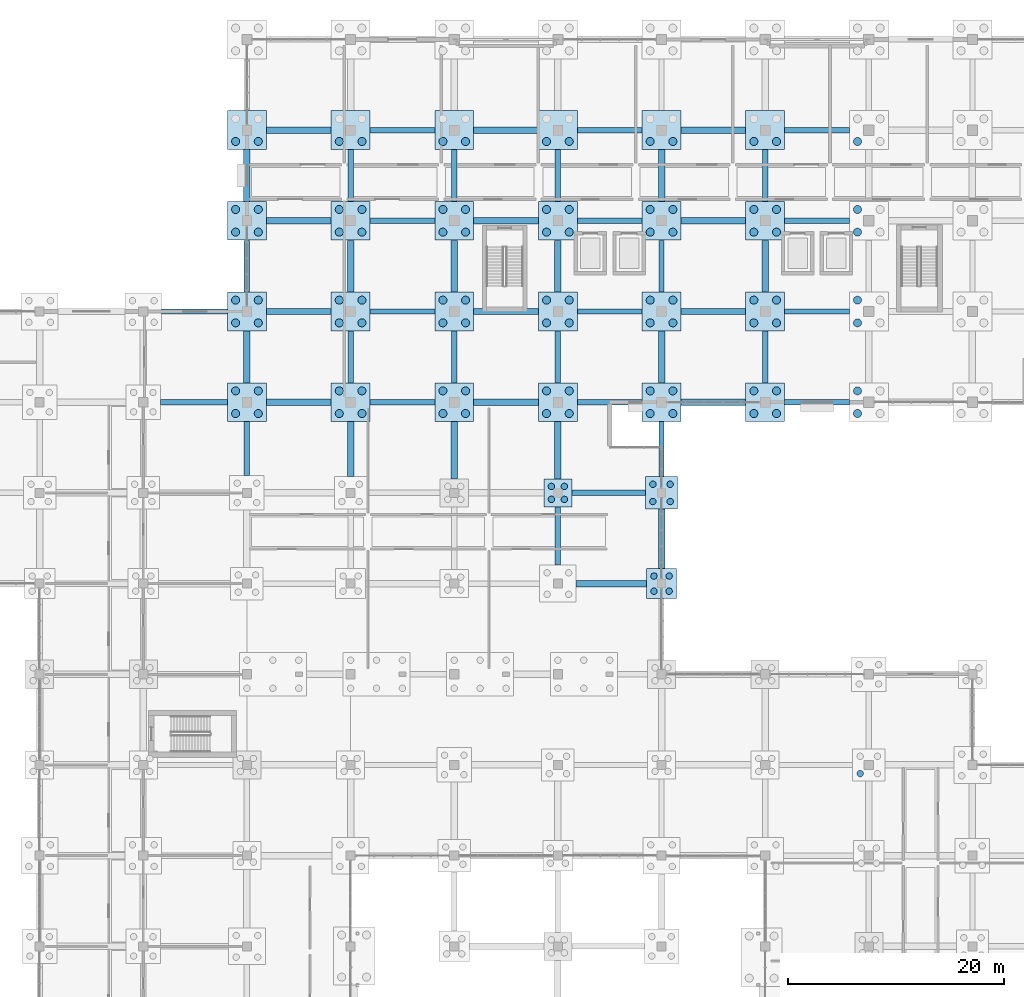
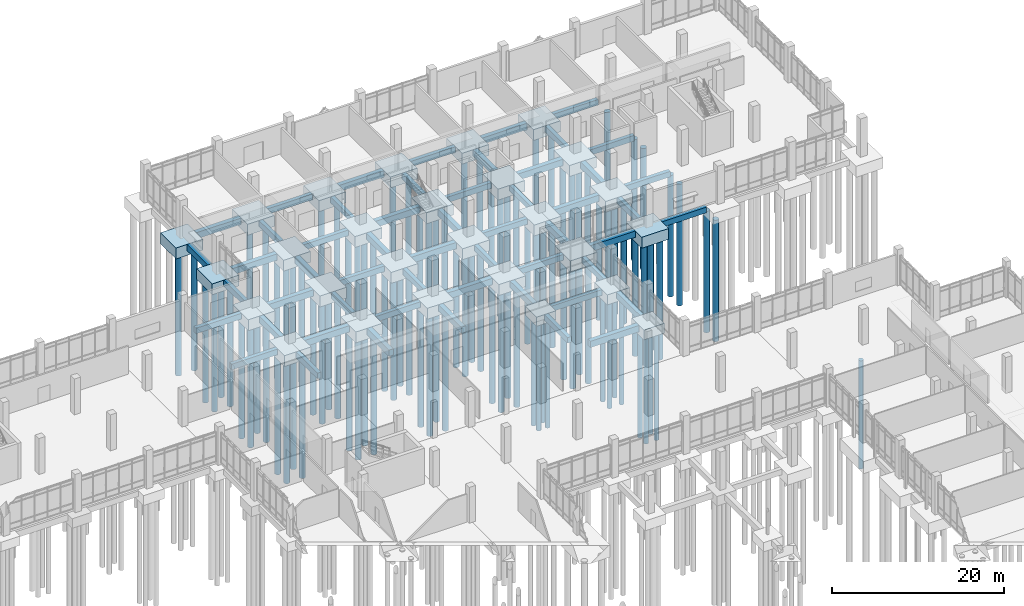
# One storey, part 16 of 136: 104 piles, 80 footings.
"""IFC4 building model written with IfcOpenShell, lengths in metres."""

import ifcopenshell
import ifcopenshell.guid

model = None  # the IFC model being written
_history = None  # IfcOwnerHistory: only IFC2X3 demands one
_inside = {}  # id of a spatial element -> (the spatial element, [elements in it])
_under = {}  # id of a project, library or spatial element -> (it, [spatial elements below it])
_declared = {}  # id of a project -> (the project, [libraries it declares])
_typed = {}  # id of a type object -> (the type object, [elements of that type])
_made_of = {}  # id of a material, layer set ... -> (it, [elements and type objects made of it])


def new_model(schema):
    """Start an empty IFC model of exactly this schema.

    Asked for "IFC4X3", IfcOpenShell would pick the latest addendum, in which some entities
    have other attributes; the version numbers below select the first issue.
    IFC2X3 requires an IfcOwnerHistory on every rooted entity: one is made here for all.
    """
    global model, _history
    if schema == "IFC4X3":
        model = ifcopenshell.file(schema_version=(4, 3, 0, 0))
    else:
        model = ifcopenshell.file(schema=schema)
    _inside.clear()
    _under.clear()
    _declared.clear()
    _typed.clear()
    _made_of.clear()
    _history = None
    if model.schema == "IFC2X3":
        org = make("IfcOrganization", Name="unknown")
        user = make(
            "IfcPersonAndOrganization",
            ThePerson=make("IfcPerson", FamilyName="unknown"),
            TheOrganization=org,
        )
        app = make(
            "IfcApplication",
            ApplicationDeveloper=org,
            Version="unknown",
            ApplicationFullName="unknown",
            ApplicationIdentifier="unknown",
        )
        _history = make(
            "IfcOwnerHistory",
            OwningUser=user,
            OwningApplication=app,
            ChangeAction="ADDED",
            CreationDate=0,
        )
    return model


def make(cls, **values):
    """One entity of the class cls with the attributes given. An attribute that is None is left unset."""
    return model.create_entity(
        cls, **{name: value for name, value in values.items() if value is not None}
    )


def rooted(cls, **values):
    """An entity with a GlobalId (a new one), such as an element, a storey or a relation."""
    return make(cls, GlobalId=ifcopenshell.guid.new(), OwnerHistory=_history, **values)


def si_unit(unit_type, name, prefix=None):
    """IfcSIUnit, for example si_unit("LENGTHUNIT", "METRE", prefix="MILLI")."""
    return make("IfcSIUnit", UnitType=unit_type, Prefix=prefix, Name=name)


def assignment(units):
    """IfcUnitAssignment: the units of a project."""
    return None if units is None else make("IfcUnitAssignment", Units=units)


def point(xyz):
    """IfcCartesianPoint."""
    return None if xyz is None else make("IfcCartesianPoint", Coordinates=xyz)


def direction(xyz):
    """IfcDirection."""
    return None if xyz is None else make("IfcDirection", DirectionRatios=xyz)


def frame(location, z_axis=None, x_axis=None):
    """IfcAxis2Placement3D, a coordinate frame: its origin and axes. An axis left out is left unset."""
    return make(
        "IfcAxis2Placement3D",
        Location=point(location),
        Axis=direction(z_axis),
        RefDirection=direction(x_axis),
    )


def frame_2d(location, x_axis=None):
    """IfcAxis2Placement2D, a coordinate frame in the plane: its origin and x axis."""
    return make(
        "IfcAxis2Placement2D", Location=point(location), RefDirection=direction(x_axis)
    )


def origin():
    """The frame at (0, 0, 0) with its axes left unset."""
    return frame((0.0, 0.0, 0.0))


def origin_2d():
    """The frame at (0, 0) in the plane with its x axis left unset."""
    return frame_2d((0.0, 0.0))


def place(relative_to, where):
    """IfcLocalPlacement: puts the frame where relative to a parent placement (None: the world)."""
    return make(
        "IfcLocalPlacement", PlacementRelTo=relative_to, RelativePlacement=where
    )


def context(
    kind, dimensions, precision=None, world=None, true_north=None, identifier=None
):
    """IfcGeometricRepresentationContext, for example the 3D "Model" context."""
    return make(
        "IfcGeometricRepresentationContext",
        ContextIdentifier=identifier,
        ContextType=kind,
        CoordinateSpaceDimension=dimensions,
        Precision=precision,
        WorldCoordinateSystem=world,
        TrueNorth=true_north,
    )


def subcontext(parent, identifier, kind, view, scale=None):
    """IfcGeometricRepresentationSubContext, for example "Body" below "Model"."""
    return make(
        "IfcGeometricRepresentationSubContext",
        ContextIdentifier=identifier,
        ContextType=kind,
        ParentContext=parent,
        TargetScale=scale,
        TargetView=view,
    )


def project(units=None, contexts=None):
    """IfcProject with its units and contexts."""
    return rooted(
        "IfcProject",
        Name="project",
        RepresentationContexts=contexts,
        UnitsInContext=assignment(units),
    )


def spatial(cls, under=None, at=None, **own):
    """A site, building, storey or space (cls), placed at a placement, below another one or the project."""
    s = rooted(cls, ObjectPlacement=at, **own)
    if under is not None:
        _under.setdefault(under.id(), (under, []))[1].append(s)
    return s


def profile(cls, at=None, kind="AREA", **sizes):
    """A parametric profile (cls). Its sizes go by their IFC names, for example OverallWidth=200.0."""
    return make(cls, ProfileType=kind, Position=at, **sizes)


def rectangle(**sizes):
    """IfcRectangleProfileDef."""
    return profile("IfcRectangleProfileDef", **sizes)


def circle(**sizes):
    """IfcCircleProfileDef."""
    return profile("IfcCircleProfileDef", **sizes)


def extrude(swept, where, along, depth):
    """IfcExtrudedAreaSolid: the profile swept, set in the frame where, extruded along a direction by depth."""
    return make(
        "IfcExtrudedAreaSolid",
        SweptArea=swept,
        Position=where,
        ExtrudedDirection=direction(along),
        Depth=depth,
    )


def shape(context_of_items, identifier, shape_type, items):
    """IfcShapeRepresentation: the items that make up one representation, for example the "Body"."""
    return make(
        "IfcShapeRepresentation",
        ContextOfItems=context_of_items,
        RepresentationIdentifier=identifier,
        RepresentationType=shape_type,
        Items=items,
    )


def material(Name=None, Category=None):
    """IfcMaterial."""
    return make("IfcMaterial", Name=Name, Category=Category)


def material_profile(
    of_material, cross_section, Name=None, Category=None, Priority=None
):
    """IfcMaterialProfile: a cross section and its material."""
    return make(
        "IfcMaterialProfile",
        Name=Name,
        Material=of_material,
        Profile=cross_section,
        Priority=Priority,
        Category=Category,
    )


def profile_set(profiles, Name=None, composite=None):
    """IfcMaterialProfileSet."""
    return make(
        "IfcMaterialProfileSet",
        Name=Name,
        MaterialProfiles=profiles,
        CompositeProfile=composite,
    )


def made_of(thing, what):
    """Note that an element or type object is made of a material, layer set ...; save() writes the relation."""
    if what is not None:
        _made_of.setdefault(what.id(), (what, []))[1].append(thing)
    return thing


def type_object(cls, material=None, **own):
    """A type object (cls), such as IfcWallType, which elements share."""
    return made_of(rooted(cls, **own), material)


def element(
    cls,
    number,
    at=None,
    inside=None,
    cuts=None,
    type_object=None,
    material=None,
    context=None,
    identifier="Body",
    shape_type=None,
    held_by="IfcProductDefinitionShape",
    body=None,
    shapes=None,
    **own,
):
    """One element of the class cls, such as IfcWall. Its Tag is "e" and its number.

    at: its placement. inside: the storey or other place that contains it. cuts: it is an
    opening in that element (IfcRelVoidsElement). A single representation is given by context,
    identifier, shape_type and body (its items); several are given by shapes. held_by: the class
    of the entity that holds the representations. save() writes the other relations.
    """
    e = rooted(cls, Tag="e%d" % number, ObjectPlacement=at, **own)
    if body is not None:
        shapes = [shape(context, identifier, shape_type, body)]
    if shapes is not None:
        e.Representation = make(held_by, Representations=shapes)
    if inside is not None:
        _inside.setdefault(inside.id(), (inside, []))[1].append(e)
    if cuts is not None:
        rooted(
            "IfcRelVoidsElement", RelatingBuildingElement=cuts, RelatedOpeningElement=e
        )
    if type_object is not None:
        _typed.setdefault(type_object.id(), (type_object, []))[1].append(e)
    return made_of(e, material)


def aggregate(whole, parts):
    """IfcRelAggregates: a whole, such as a stair, and the parts it consists of."""
    return rooted("IfcRelAggregates", RelatingObject=whole, RelatedObjects=parts)


def save(model, path):
    """Write the relations noted so far, then the file.

    IfcRelAggregates (storeys below a building ...), IfcRelContainedInSpatialStructure (elements
    in a storey), IfcRelDefinesByType, IfcRelAssociatesMaterial and IfcRelDeclares: one each for
    every whole, place, type object, material and project.
    """
    for whole, parts in _under.values():
        aggregate(whole, parts)
    for where, things in _inside.values():
        rooted(
            "IfcRelContainedInSpatialStructure",
            RelatedElements=things,
            RelatingStructure=where,
        )
    for kind, things in _typed.values():
        rooted("IfcRelDefinesByType", RelatedObjects=things, RelatingType=kind)
    for what, things in _made_of.values():
        rooted("IfcRelAssociatesMaterial", RelatedObjects=things, RelatingMaterial=what)
    for by, libraries in _declared.values():
        rooted("IfcRelDeclares", RelatingContext=by, RelatedDefinitions=libraries)
    model.write(path)


model = new_model("IFC4")

# Units and contexts
model_context = context("Model", 3, precision=1e-05, world=origin(), true_north=direction((0.0, 1.0)))
body_context = subcontext(model_context, "Body", "Model", "MODEL_VIEW")
ifc_project = project(units=[si_unit("LENGTHUNIT", "METRE"), si_unit("AREAUNIT", "SQUARE_METRE"), si_unit("VOLUMEUNIT", "CUBIC_METRE"), si_unit("PLANEANGLEUNIT", "RADIAN"), si_unit("MASSUNIT", "GRAM", prefix="KILO")], contexts=[model_context])

# Site, building, storey
site_placement = place(None, origin())
site = spatial("IfcSite", under=ifc_project, at=site_placement, CompositionType="ELEMENT")
building_placement = place(site_placement, origin())
building = spatial("IfcBuilding", under=site, at=building_placement, Name="Oolite Switchyard Hospital", CompositionType="ELEMENT")
storey_placement = place(building_placement, origin())
storey = spatial("IfcBuildingStorey", under=building, at=storey_placement, Name="L00", CompositionType="ELEMENT", Elevation=0.0)

# Footings
ifc_material = material(Name="Concrete C40/50", Category="concrete")
footing_type_1 = type_object("IfcFootingType", Name="FTG-GB500X800", PredefinedType="FOOTING_BEAM", material=ifc_material)
footing_1_placement = place(storey_placement, frame((167.89990234375, 92.39990234375, -1.14990234375), z_axis=(0.0, 0.0, 1.0), x_axis=(1.0, 0.0, 0.0)))
element("IfcFooting", 1, at=footing_1_placement, inside=storey, type_object=footing_type_1, Name="L00 Grade Beam 174", PredefinedType="FOOTING_BEAM", context=body_context, shape_type="SweptSolid", body=[
    extrude(rectangle(XDim=6.800048828125, YDim=0.5, at=origin_2d()), origin(), (0.0, 0.0, 1.0), 0.800048828125),
])
footing_2_placement = place(storey_placement, frame((129.5, 100.800048828125, -1.14990234375), z_axis=(0.0, 0.0, 1.0), x_axis=(1.0, 0.0, 0.0)))
element("IfcFooting", 2, at=footing_2_placement, inside=storey, type_object=footing_type_1, Name="L00 Grade Beam 188", PredefinedType="FOOTING_BEAM", context=body_context, shape_type="SweptSolid", body=[
    extrude(rectangle(XDim=6.199951171875, YDim=0.5, at=origin_2d()), origin(), (0.0, 0.0, 1.0), 0.800048828125),
])
for number, where, z_axis, x_axis, name in (
    (3, (148.800048828125, 100.800048828125, -1.14990234375), (0.0, 0.0, 1.0), (1.0, 0.0, 0.0), "L00 Grade Beam 190"),
    (4, (168.0, 100.800048828125, -1.14990234375), (0.0, 0.0, 1.0), (1.0, 0.0, 0.0), "L00 Grade Beam 192"),
    (5, (187.199951171875, 100.800048828125, -1.14990234375), (0.0, 0.0, 1.0), (1.0, 0.0, 0.0), "L00 Grade Beam 194"),
):
    element("IfcFooting", number, at=place(storey_placement, frame(where, z_axis=z_axis, x_axis=x_axis)), inside=storey, type_object=footing_type_1, Name=name, PredefinedType="FOOTING_BEAM", context=body_context, shape_type="SweptSolid", body=[
        extrude(rectangle(XDim=6.0, YDim=0.5, at=origin_2d()), origin(), (0.0, 0.0, 1.0), 0.800048828125),
    ])
footing_3_placement = place(storey_placement, frame((129.550048828125, 109.199951171875, -1.14990234375), z_axis=(0.0, 0.0, 1.0), x_axis=(1.0, 0.0, 0.0)))
element("IfcFooting", 6, at=footing_3_placement, inside=storey, type_object=footing_type_1, Name="L00 Grade Beam 210", PredefinedType="FOOTING_BEAM", context=body_context, shape_type="SweptSolid", body=[
    extrude(rectangle(XDim=6.10009765625, YDim=0.5, at=origin_2d()), origin(), (0.0, 0.0, 1.0), 0.800048828125),
])
for number, where, z_axis, x_axis, name in (
    (7, (148.800048828125, 109.199951171875, -1.14990234375), (0.0, 0.0, 1.0), (1.0, 0.0, 0.0), "L00 Grade Beam 212"),
    (8, (168.0, 109.199951171875, -1.14990234375), (0.0, 0.0, 1.0), (1.0, 0.0, 0.0), "L00 Grade Beam 214"),
    (9, (187.199951171875, 109.199951171875, -1.14990234375), (0.0, 0.0, 1.0), (1.0, 0.0, 0.0), "L00 Grade Beam 216"),
    (10, (148.800048828125, 117.60009765625, -1.14990234375), (0.0, 0.0, 1.0), (1.0, 0.0, 0.0), "L00 Grade Beam 228"),
    (11, (168.0, 117.60009765625, -1.14990234375), (0.0, 0.0, 1.0), (1.0, 0.0, 0.0), "L00 Grade Beam 230"),
    (12, (187.199951171875, 117.60009765625, -1.14990234375), (0.0, 0.0, 1.0), (1.0, 0.0, 0.0), "L00 Grade Beam 232"),
    (13, (148.800048828125, 126.0, -1.14990234375), (0.0, 0.0, 1.0), (1.0, 0.0, 0.0), "L00 Grade Beam 244"),
    (14, (168.0, 126.0, -1.14990234375), (0.0, 0.0, 1.0), (1.0, 0.0, 0.0), "L00 Grade Beam 246"),
    (15, (187.199951171875, 126.0, -1.14990234375), (0.0, 0.0, 1.0), (1.0, 0.0, 0.0), "L00 Grade Beam 248"),
):
    element("IfcFooting", number, at=place(storey_placement, frame(where, z_axis=z_axis, x_axis=x_axis)), inside=storey, type_object=footing_type_1, Name=name, PredefinedType="FOOTING_BEAM", context=body_context, shape_type="SweptSolid", body=[
        extrude(rectangle(XDim=6.0, YDim=0.5, at=origin_2d()), origin(), (0.0, 0.0, 1.0), 0.800048828125),
    ])
footing_4_placement = place(storey_placement, frame((134.39990234375, 96.5, -1.14990234375), z_axis=(0.0, 0.0, 1.0), x_axis=(0.0, 1.0, 0.0)))
element("IfcFooting", 16, at=footing_4_placement, inside=storey, type_object=footing_type_1, Name="L00 Grade Beam 429", PredefinedType="FOOTING_BEAM", context=body_context, shape_type="SweptSolid", body=[
    extrude(rectangle(XDim=5.0, YDim=0.5, at=origin_2d()), origin(), (0.0, 0.0, 1.0), 0.800048828125),
])
for number, where, z_axis, x_axis, name in (
    (17, (134.39990234375, 113.39990234375, -1.14990234375), (0.0, 0.0, 1.0), (0.0, 1.0, 0.0), "L00 Grade Beam 431"),
    (18, (144.0, 105.0, -1.14990234375), (0.0, 0.0, 1.0), (0.0, 1.0, 0.0), "L00 Grade Beam 439"),
    (19, (144.0, 121.800048828125, -1.14990234375), (0.0, 0.0, 1.0), (0.0, 1.0, 0.0), "L00 Grade Beam 441"),
    (20, (153.60009765625, 105.0, -1.14990234375), (0.0, 0.0, 1.0), (0.0, 1.0, 0.0), "L00 Grade Beam 451"),
    (21, (153.60009765625, 121.800048828125, -1.14990234375), (0.0, 0.0, 1.0), (0.0, 1.0, 0.0), "L00 Grade Beam 453"),
):
    element("IfcFooting", number, at=place(storey_placement, frame(where, z_axis=z_axis, x_axis=x_axis)), inside=storey, type_object=footing_type_1, Name=name, PredefinedType="FOOTING_BEAM", context=body_context, shape_type="SweptSolid", body=[
        extrude(rectangle(XDim=4.800048828125, YDim=0.5, at=origin_2d()), origin(), (0.0, 0.0, 1.0), 0.800048828125),
    ])
footing_5_placement = place(storey_placement, frame((163.199951171875, 88.39990234375, -1.14990234375), z_axis=(0.0, 0.0, 1.0), x_axis=(0.0, 1.0, 0.0)))
element("IfcFooting", 22, at=footing_5_placement, inside=storey, type_object=footing_type_1, Name="L00 Grade Beam 463", PredefinedType="FOOTING_BEAM", context=body_context, shape_type="SweptSolid", body=[
    extrude(rectangle(XDim=5.39990234375, YDim=0.5, at=origin_2d()), origin(), (0.0, 0.0, 1.0), 0.800048828125),
])
for number, where, z_axis, x_axis, name in (
    (23, (163.199951171875, 105.0, -1.14990234375), (0.0, 0.0, 1.0), (0.0, 1.0, 0.0), "L00 Grade Beam 465"),
    (24, (163.199951171875, 121.800048828125, -1.14990234375), (0.0, 0.0, 1.0), (0.0, 1.0, 0.0), "L00 Grade Beam 467"),
):
    element("IfcFooting", number, at=place(storey_placement, frame(where, z_axis=z_axis, x_axis=x_axis)), inside=storey, type_object=footing_type_1, Name=name, PredefinedType="FOOTING_BEAM", context=body_context, shape_type="SweptSolid", body=[
        extrude(rectangle(XDim=4.800048828125, YDim=0.5, at=origin_2d()), origin(), (0.0, 0.0, 1.0), 0.800048828125),
    ])
footing_6_placement = place(storey_placement, frame((172.800048828125, 96.449951171875, -1.14990234375), z_axis=(0.0, 0.0, 1.0), x_axis=(0.0, 1.0, 0.0)))
element("IfcFooting", 25, at=footing_6_placement, inside=storey, type_object=footing_type_1, Name="L00 Grade Beam 477", PredefinedType="FOOTING_BEAM", context=body_context, shape_type="SweptSolid", body=[
    extrude(rectangle(XDim=5.10009765625, YDim=0.5, at=origin_2d()), origin(), (0.0, 0.0, 1.0), 0.800048828125),
])
for number, where, z_axis, x_axis, name in (
    (26, (172.800048828125, 113.39990234375, -1.14990234375), (0.0, 0.0, 1.0), (0.0, 1.0, 0.0), "L00 Grade Beam 479"),
    (27, (182.39990234375, 105.0, -1.14990234375), (0.0, 0.0, 1.0), (0.0, 1.0, 0.0), "L00 Grade Beam 489"),
    (28, (182.39990234375, 121.800048828125, -1.14990234375), (0.0, 0.0, 1.0), (0.0, 1.0, 0.0), "L00 Grade Beam 491"),
):
    element("IfcFooting", number, at=place(storey_placement, frame(where, z_axis=z_axis, x_axis=x_axis)), inside=storey, type_object=footing_type_1, Name=name, PredefinedType="FOOTING_BEAM", context=body_context, shape_type="SweptSolid", body=[
        extrude(rectangle(XDim=4.800048828125, YDim=0.5, at=origin_2d()), origin(), (0.0, 0.0, 1.0), 0.800048828125),
    ])
footing_type_2 = type_object("IfcFootingType", Name="FTG-GB600X900", PredefinedType="FOOTING_BEAM", material=ifc_material)
footing_7_placement = place(storey_placement, frame((168.14990234375, 84.0, -1.25), z_axis=(0.0, 0.0, 1.0), x_axis=(1.0, 0.0, 0.0)))
element("IfcFooting", 29, at=footing_7_placement, inside=storey, type_object=footing_type_2, Name="L00 Grade Beam 159", PredefinedType="FOOTING_BEAM", context=body_context, shape_type="SweptSolid", body=[
    extrude(rectangle(XDim=6.5, YDim=0.60009765625, at=origin_2d()), origin(), (0.0, 0.0, 1.0), 0.89990234375),
])
for number, where, z_axis, x_axis, name in (
    (30, (139.199951171875, 100.800048828125, -1.25), (0.0, 0.0, 1.0), (1.0, 0.0, 0.0), "L00 Grade Beam 189"),
    (31, (158.39990234375, 100.800048828125, -1.25), (0.0, 0.0, 1.0), (1.0, 0.0, 0.0), "L00 Grade Beam 191"),
    (32, (177.60009765625, 100.800048828125, -1.25), (0.0, 0.0, 1.0), (1.0, 0.0, 0.0), "L00 Grade Beam 193"),
    (33, (139.199951171875, 109.199951171875, -1.25), (0.0, 0.0, 1.0), (1.0, 0.0, 0.0), "L00 Grade Beam 211"),
    (34, (158.39990234375, 109.199951171875, -1.25), (0.0, 0.0, 1.0), (1.0, 0.0, 0.0), "L00 Grade Beam 213"),
    (35, (177.60009765625, 109.199951171875, -1.25), (0.0, 0.0, 1.0), (1.0, 0.0, 0.0), "L00 Grade Beam 215"),
    (36, (139.199951171875, 117.60009765625, -1.25), (0.0, 0.0, 1.0), (1.0, 0.0, 0.0), "L00 Grade Beam 227"),
    (37, (158.39990234375, 117.60009765625, -1.25), (0.0, 0.0, 1.0), (1.0, 0.0, 0.0), "L00 Grade Beam 229"),
    (38, (177.60009765625, 117.60009765625, -1.25), (0.0, 0.0, 1.0), (1.0, 0.0, 0.0), "L00 Grade Beam 231"),
    (39, (139.199951171875, 126.0, -1.25), (0.0, 0.0, 1.0), (1.0, 0.0, 0.0), "L00 Grade Beam 243"),
    (40, (158.39990234375, 126.0, -1.25), (0.0, 0.0, 1.0), (1.0, 0.0, 0.0), "L00 Grade Beam 245"),
    (41, (177.60009765625, 126.0, -1.25), (0.0, 0.0, 1.0), (1.0, 0.0, 0.0), "L00 Grade Beam 247"),
):
    element("IfcFooting", number, at=place(storey_placement, frame(where, z_axis=z_axis, x_axis=x_axis)), inside=storey, type_object=footing_type_2, Name=name, PredefinedType="FOOTING_BEAM", context=body_context, shape_type="SweptSolid", body=[
        extrude(rectangle(XDim=6.0, YDim=0.60009765625, at=origin_2d()), origin(), (0.0, 0.0, 1.0), 0.89990234375),
    ])
for number, where, z_axis, x_axis, name in (
    (42, (134.39990234375, 105.0, -1.25), (0.0, 0.0, 1.0), (0.0, 1.0, 0.0), "L00 Grade Beam 430"),
    (43, (134.39990234375, 121.800048828125, -1.25), (0.0, 0.0, 1.0), (0.0, 1.0, 0.0), "L00 Grade Beam 432"),
):
    element("IfcFooting", number, at=place(storey_placement, frame(where, z_axis=z_axis, x_axis=x_axis)), inside=storey, type_object=footing_type_2, Name=name, PredefinedType="FOOTING_BEAM", context=body_context, shape_type="SweptSolid", body=[
        extrude(rectangle(XDim=4.800048828125, YDim=0.60009765625, at=origin_2d()), origin(), (0.0, 0.0, 1.0), 0.89990234375),
    ])
footing_8_placement = place(storey_placement, frame((144.0, 96.449951171875, -1.25), z_axis=(0.0, 0.0, 1.0), x_axis=(0.0, 1.0, 0.0)))
element("IfcFooting", 44, at=footing_8_placement, inside=storey, type_object=footing_type_2, Name="L00 Grade Beam 438", PredefinedType="FOOTING_BEAM", context=body_context, shape_type="SweptSolid", body=[
    extrude(rectangle(XDim=5.10009765625, YDim=0.60009765625, at=origin_2d()), origin(), (0.0, 0.0, 1.0), 0.89990234375),
])
footing_9_placement = place(storey_placement, frame((144.0, 113.39990234375, -1.25), z_axis=(0.0, 0.0, 1.0), x_axis=(0.0, 1.0, 0.0)))
element("IfcFooting", 45, at=footing_9_placement, inside=storey, type_object=footing_type_2, Name="L00 Grade Beam 440", PredefinedType="FOOTING_BEAM", context=body_context, shape_type="SweptSolid", body=[
    extrude(rectangle(XDim=4.800048828125, YDim=0.60009765625, at=origin_2d()), origin(), (0.0, 0.0, 1.0), 0.89990234375),
])
footing_10_placement = place(storey_placement, frame((153.60009765625, 96.35009765625, -1.25), z_axis=(0.0, 0.0, 1.0), x_axis=(0.0, 1.0, 0.0)))
element("IfcFooting", 46, at=footing_10_placement, inside=storey, type_object=footing_type_2, Name="L00 Grade Beam 450", PredefinedType="FOOTING_BEAM", context=body_context, shape_type="SweptSolid", body=[
    extrude(rectangle(XDim=5.300048828125, YDim=0.60009765625, at=origin_2d()), origin(), (0.0, 0.0, 1.0), 0.89990234375),
])
footing_11_placement = place(storey_placement, frame((153.60009765625, 113.39990234375, -1.25), z_axis=(0.0, 0.0, 1.0), x_axis=(0.0, 1.0, 0.0)))
element("IfcFooting", 47, at=footing_11_placement, inside=storey, type_object=footing_type_2, Name="L00 Grade Beam 452", PredefinedType="FOOTING_BEAM", context=body_context, shape_type="SweptSolid", body=[
    extrude(rectangle(XDim=4.800048828125, YDim=0.60009765625, at=origin_2d()), origin(), (0.0, 0.0, 1.0), 0.89990234375),
])
footing_12_placement = place(storey_placement, frame((163.199951171875, 96.35009765625, -1.25), z_axis=(0.0, 0.0, 1.0), x_axis=(0.0, 1.0, 0.0)))
element("IfcFooting", 48, at=footing_12_placement, inside=storey, type_object=footing_type_2, Name="L00 Grade Beam 464", PredefinedType="FOOTING_BEAM", context=body_context, shape_type="SweptSolid", body=[
    extrude(rectangle(XDim=5.300048828125, YDim=0.60009765625, at=origin_2d()), origin(), (0.0, 0.0, 1.0), 0.89990234375),
])
footing_13_placement = place(storey_placement, frame((163.199951171875, 113.39990234375, -1.25), z_axis=(0.0, 0.0, 1.0), x_axis=(0.0, 1.0, 0.0)))
element("IfcFooting", 49, at=footing_13_placement, inside=storey, type_object=footing_type_2, Name="L00 Grade Beam 466", PredefinedType="FOOTING_BEAM", context=body_context, shape_type="SweptSolid", body=[
    extrude(rectangle(XDim=4.800048828125, YDim=0.60009765625, at=origin_2d()), origin(), (0.0, 0.0, 1.0), 0.89990234375),
])
footing_14_placement = place(storey_placement, frame((172.800048828125, 88.14990234375, -1.25), z_axis=(0.0, 0.0, 1.0), x_axis=(0.0, 1.0, 0.0)))
element("IfcFooting", 50, at=footing_14_placement, inside=storey, type_object=footing_type_2, Name="L00 Grade Beam 476", PredefinedType="FOOTING_BEAM", context=body_context, shape_type="SweptSolid", body=[
    extrude(rectangle(XDim=5.5, YDim=0.60009765625, at=origin_2d()), origin(), (0.0, 0.0, 1.0), 0.89990234375),
])
for number, where, z_axis, x_axis, name in (
    (51, (172.800048828125, 105.0, -1.25), (0.0, 0.0, 1.0), (0.0, 1.0, 0.0), "L00 Grade Beam 478"),
    (52, (172.800048828125, 121.800048828125, -1.25), (0.0, 0.0, 1.0), (0.0, 1.0, 0.0), "L00 Grade Beam 480"),
    (53, (182.39990234375, 113.39990234375, -1.25), (0.0, 0.0, 1.0), (0.0, 1.0, 0.0), "L00 Grade Beam 490"),
):
    element("IfcFooting", number, at=place(storey_placement, frame(where, z_axis=z_axis, x_axis=x_axis)), inside=storey, type_object=footing_type_2, Name=name, PredefinedType="FOOTING_BEAM", context=body_context, shape_type="SweptSolid", body=[
        extrude(rectangle(XDim=4.800048828125, YDim=0.60009765625, at=origin_2d()), origin(), (0.0, 0.0, 1.0), 0.89990234375),
    ])
footing_type_3 = type_object("IfcFootingType", Name="FTG-PC24", PredefinedType="PILE_CAP", material=ifc_material)
footing_15_placement = place(storey_placement, frame((163.199951171875, 92.39990234375, -1.64990234375), z_axis=(0.0, 0.0, 1.0), x_axis=(1.0, 0.0, 0.0)))
element("IfcFooting", 54, at=footing_15_placement, inside=storey, type_object=footing_type_3, Name="L00 Multi-Pile Cap 246", PredefinedType="PILE_CAP", context=body_context, shape_type="SweptSolid", body=[
    extrude(rectangle(XDim=2.60009765625, YDim=2.60009765625, at=origin_2d()), origin(), (0.0, 0.0, 1.0), 1.300048828125),
])
footing_type_4 = type_object("IfcFootingType", Name="FTG-PC28", PredefinedType="PILE_CAP", material=ifc_material)
footing_16_placement = place(storey_placement, frame((172.800048828125, 84.0, -1.75), z_axis=(0.0, 0.0, 1.0), x_axis=(1.0, 0.0, 0.0)))
element("IfcFooting", 55, at=footing_16_placement, inside=storey, type_object=footing_type_4, Name="L00 Multi-Pile Cap 260", PredefinedType="PILE_CAP", context=body_context, shape_type="SweptSolid", body=[
    extrude(rectangle(XDim=2.800048828125, YDim=2.800048828125, at=origin_2d()), origin(), (0.0, 0.0, 1.0), 1.39990234375),
])
footing_type_5 = type_object("IfcFootingType", Name="FTG-PC30", PredefinedType="PILE_CAP", material=ifc_material)
footing_17_placement = place(storey_placement, frame((172.800048828125, 92.39990234375, -1.77001953125), z_axis=(0.0, 0.0, 1.0), x_axis=(1.0, 0.0, 0.0)))
element("IfcFooting", 56, at=footing_17_placement, inside=storey, type_object=footing_type_5, Name="L00 Multi-Pile Cap 261", PredefinedType="PILE_CAP", context=body_context, shape_type="SweptSolid", body=[
    extrude(rectangle(XDim=3.0, YDim=3.0, at=origin_2d()), origin(), (0.0, 0.0, 1.0), 1.419921875),
])
footing_type_6 = type_object("IfcFootingType", Name="FTG-PC36", PredefinedType="PILE_CAP", material=ifc_material)
for number, where, z_axis, x_axis, name in (
    (57, (134.39990234375, 100.800048828125, -1.89990234375), (0.0, 0.0, 1.0), (1.0, 0.0, 0.0), "L00 Multi-Pile Cap 198"),
    (58, (134.39990234375, 109.199951171875, -1.89990234375), (0.0, 0.0, 1.0), (1.0, 0.0, 0.0), "L00 Multi-Pile Cap 199"),
    (59, (134.39990234375, 117.60009765625, -1.89990234375), (0.0, 0.0, 1.0), (1.0, 0.0, 0.0), "L00 Multi-Pile Cap 200"),
    (60, (134.39990234375, 126.0, -1.89990234375), (0.0, 0.0, 1.0), (1.0, 0.0, 0.0), "L00 Multi-Pile Cap 201"),
    (61, (144.0, 100.800048828125, -1.89990234375), (0.0, 0.0, 1.0), (1.0, 0.0, 0.0), "L00 Multi-Pile Cap 215"),
    (62, (144.0, 109.199951171875, -1.89990234375), (0.0, 0.0, 1.0), (1.0, 0.0, 0.0), "L00 Multi-Pile Cap 216"),
    (63, (144.0, 117.60009765625, -1.89990234375), (0.0, 0.0, 1.0), (1.0, 0.0, 0.0), "L00 Multi-Pile Cap 217"),
    (64, (144.0, 126.0, -1.89990234375), (0.0, 0.0, 1.0), (1.0, 0.0, 0.0), "L00 Multi-Pile Cap 218"),
    (65, (153.60009765625, 100.800048828125, -1.89990234375), (0.0, 0.0, 1.0), (1.0, 0.0, 0.0), "L00 Multi-Pile Cap 230"),
    (66, (153.60009765625, 109.199951171875, -1.89990234375), (0.0, 0.0, 1.0), (1.0, 0.0, 0.0), "L00 Multi-Pile Cap 231"),
    (67, (153.60009765625, 117.60009765625, -1.89990234375), (0.0, 0.0, 1.0), (1.0, 0.0, 0.0), "L00 Multi-Pile Cap 232"),
    (68, (153.60009765625, 126.0, -1.89990234375), (0.0, 0.0, 1.0), (1.0, 0.0, 0.0), "L00 Multi-Pile Cap 233"),
    (69, (163.199951171875, 100.800048828125, -1.89990234375), (0.0, 0.0, 1.0), (1.0, 0.0, 0.0), "L00 Multi-Pile Cap 247"),
    (70, (163.199951171875, 109.199951171875, -1.89990234375), (0.0, 0.0, 1.0), (1.0, 0.0, 0.0), "L00 Multi-Pile Cap 248"),
    (71, (163.199951171875, 117.60009765625, -1.89990234375), (0.0, 0.0, 1.0), (1.0, 0.0, 0.0), "L00 Multi-Pile Cap 249"),
    (72, (163.199951171875, 126.0, -1.89990234375), (0.0, 0.0, 1.0), (1.0, 0.0, 0.0), "L00 Multi-Pile Cap 250"),
    (73, (172.800048828125, 100.800048828125, -1.89990234375), (0.0, 0.0, 1.0), (1.0, 0.0, 0.0), "L00 Multi-Pile Cap 262"),
    (74, (172.800048828125, 109.199951171875, -1.89990234375), (0.0, 0.0, 1.0), (1.0, 0.0, 0.0), "L00 Multi-Pile Cap 263"),
    (75, (172.800048828125, 117.60009765625, -1.89990234375), (0.0, 0.0, 1.0), (1.0, 0.0, 0.0), "L00 Multi-Pile Cap 264"),
    (76, (172.800048828125, 126.0, -1.89990234375), (0.0, 0.0, 1.0), (1.0, 0.0, 0.0), "L00 Multi-Pile Cap 265"),
    (77, (182.39990234375, 100.800048828125, -1.89990234375), (0.0, 0.0, 1.0), (1.0, 0.0, 0.0), "L00 Multi-Pile Cap 277"),
    (78, (182.39990234375, 109.199951171875, -1.89990234375), (0.0, 0.0, 1.0), (1.0, 0.0, 0.0), "L00 Multi-Pile Cap 278"),
    (79, (182.39990234375, 117.60009765625, -1.89990234375), (0.0, 0.0, 1.0), (1.0, 0.0, 0.0), "L00 Multi-Pile Cap 279"),
    (80, (182.39990234375, 126.0, -1.89990234375), (0.0, 0.0, 1.0), (1.0, 0.0, 0.0), "L00 Multi-Pile Cap 280"),
):
    element("IfcFooting", number, at=place(storey_placement, frame(where, z_axis=z_axis, x_axis=x_axis)), inside=storey, type_object=footing_type_6, Name=name, PredefinedType="PILE_CAP", context=body_context, shape_type="SweptSolid", body=[
        extrude(rectangle(XDim=3.60009765625, YDim=3.60009765625, at=origin_2d()), origin(), (0.0, 0.0, 1.0), 1.550048828125),
    ])

# Piles
ifc_material_profile_1 = material_profile(ifc_material, circle(Radius=0.300048828125, at=origin_2d()), Name="PILE600")
ifc_profile_set_1 = profile_set([ifc_material_profile_1], Name="Concrete C40/50")
pile_type_1 = type_object("IfcPileType", Name="PILE-ACIP600", PredefinedType="BORED", material=ifc_profile_set_1)
for number, where, z_axis, x_axis, name in (
    (81, (162.60009765625, 91.800048828125, -1.5), (0.0, 0.0, -1.0), (1.0, 0.0, 0.0), "Augercast Pile 993"),
    (82, (163.800048828125, 91.800048828125, -1.5), (0.0, 0.0, -1.0), (1.0, 0.0, 0.0), "Augercast Pile 994"),
    (83, (162.60009765625, 93.0, -1.5), (0.0, 0.0, -1.0), (1.0, 0.0, 0.0), "Augercast Pile 995"),
    (84, (163.800048828125, 93.0, -1.5), (0.0, 0.0, -1.0), (1.0, 0.0, 0.0), "Augercast Pile 996"),
):
    element("IfcPile", number, at=place(storey_placement, frame(where, z_axis=z_axis, x_axis=x_axis)), inside=storey, type_object=pile_type_1, Name=name, PredefinedType="BORED", context=body_context, shape_type="SweptSolid", body=[
        extrude(circle(Radius=0.300048828125, at=origin_2d()), origin(), (0.0, 0.0, 1.0), 15.5),
    ])
for number, where, z_axis, x_axis, name in (
    (85, (172.10009765625, 83.300048828125, -1.60009765625), (0.0, 0.0, -1.0), (1.0, 0.0, 0.0), "Augercast Pile 1051"),
    (86, (173.5, 83.300048828125, -1.60009765625), (0.0, 0.0, -1.0), (1.0, 0.0, 0.0), "Augercast Pile 1052"),
    (87, (172.10009765625, 84.699951171875, -1.60009765625), (0.0, 0.0, -1.0), (1.0, 0.0, 0.0), "Augercast Pile 1053"),
    (88, (173.5, 84.699951171875, -1.60009765625), (0.0, 0.0, -1.0), (1.0, 0.0, 0.0), "Augercast Pile 1054"),
):
    element("IfcPile", number, at=place(storey_placement, frame(where, z_axis=z_axis, x_axis=x_axis)), inside=storey, type_object=pile_type_1, Name=name, PredefinedType="BORED", context=body_context, shape_type="SweptSolid", body=[
        extrude(circle(Radius=0.300048828125, at=origin_2d()), origin(), (0.0, 0.0, 1.0), 15.39990234375),
    ])
for number, where, z_axis, x_axis, name in (
    (89, (172.0, 91.60009765625, -1.6201171875), (0.0, 0.0, -1.0), (1.0, 0.0, 0.0), "Augercast Pile 1055"),
    (90, (173.60009765625, 91.60009765625, -1.6201171875), (0.0, 0.0, -1.0), (1.0, 0.0, 0.0), "Augercast Pile 1056"),
    (91, (172.0, 93.199951171875, -1.6201171875), (0.0, 0.0, -1.0), (1.0, 0.0, 0.0), "Augercast Pile 1057"),
    (92, (173.60009765625, 93.199951171875, -1.6201171875), (0.0, 0.0, -1.0), (1.0, 0.0, 0.0), "Augercast Pile 1058"),
    (93, (191.199951171875, 66.39990234375, -1.6201171875), (0.0, 0.0, -1.0), (1.0, 0.0, 0.0), "Augercast Pile 1173"),
):
    element("IfcPile", number, at=place(storey_placement, frame(where, z_axis=z_axis, x_axis=x_axis)), inside=storey, type_object=pile_type_1, Name=name, PredefinedType="BORED", context=body_context, shape_type="SweptSolid", body=[
        extrude(circle(Radius=0.300048828125, at=origin_2d()), origin(), (0.0, 0.0, 1.0), 15.3798828125),
    ])
ifc_material_profile_2 = material_profile(ifc_material, circle(Radius=0.375, at=origin_2d()), Name="PILE750")
ifc_profile_set_2 = profile_set([ifc_material_profile_2], Name="Concrete C40/50")
pile_type_2 = type_object("IfcPileType", Name="PILE-ACIP750", PredefinedType="BORED", material=ifc_profile_set_2)
for number, where, z_axis, x_axis, name in (
    (94, (133.35009765625, 99.75, -1.75), (0.0, 0.0, -1.0), (1.0, 0.0, 0.0), "Augercast Pile 791"),
    (95, (135.449951171875, 99.75, -1.75), (0.0, 0.0, -1.0), (1.0, 0.0, 0.0), "Augercast Pile 792"),
    (96, (133.35009765625, 101.85009765625, -1.75), (0.0, 0.0, -1.0), (1.0, 0.0, 0.0), "Augercast Pile 793"),
    (97, (135.449951171875, 101.85009765625, -1.75), (0.0, 0.0, -1.0), (1.0, 0.0, 0.0), "Augercast Pile 794"),
    (98, (133.35009765625, 108.14990234375, -1.75), (0.0, 0.0, -1.0), (1.0, 0.0, 0.0), "Augercast Pile 795"),
    (99, (135.449951171875, 108.14990234375, -1.75), (0.0, 0.0, -1.0), (1.0, 0.0, 0.0), "Augercast Pile 796"),
    (100, (133.35009765625, 110.25, -1.75), (0.0, 0.0, -1.0), (1.0, 0.0, 0.0), "Augercast Pile 797"),
    (101, (135.449951171875, 110.25, -1.75), (0.0, 0.0, -1.0), (1.0, 0.0, 0.0), "Augercast Pile 798"),
    (102, (133.35009765625, 116.550048828125, -1.75), (0.0, 0.0, -1.0), (1.0, 0.0, 0.0), "Augercast Pile 799"),
    (103, (135.449951171875, 116.550048828125, -1.75), (0.0, 0.0, -1.0), (1.0, 0.0, 0.0), "Augercast Pile 800"),
    (104, (133.35009765625, 118.64990234375, -1.75), (0.0, 0.0, -1.0), (1.0, 0.0, 0.0), "Augercast Pile 801"),
    (105, (135.449951171875, 118.64990234375, -1.75), (0.0, 0.0, -1.0), (1.0, 0.0, 0.0), "Augercast Pile 802"),
    (106, (133.35009765625, 124.949951171875, -1.75), (0.0, 0.0, -1.0), (1.0, 0.0, 0.0), "Augercast Pile 803"),
    (107, (135.449951171875, 124.949951171875, -1.75), (0.0, 0.0, -1.0), (1.0, 0.0, 0.0), "Augercast Pile 804"),
    (108, (142.949951171875, 99.75, -1.75), (0.0, 0.0, -1.0), (1.0, 0.0, 0.0), "Augercast Pile 863"),
    (109, (145.050048828125, 99.75, -1.75), (0.0, 0.0, -1.0), (1.0, 0.0, 0.0), "Augercast Pile 864"),
    (110, (142.949951171875, 101.85009765625, -1.75), (0.0, 0.0, -1.0), (1.0, 0.0, 0.0), "Augercast Pile 865"),
    (111, (145.050048828125, 101.85009765625, -1.75), (0.0, 0.0, -1.0), (1.0, 0.0, 0.0), "Augercast Pile 866"),
    (112, (142.949951171875, 108.14990234375, -1.75), (0.0, 0.0, -1.0), (1.0, 0.0, 0.0), "Augercast Pile 867"),
    (113, (145.050048828125, 108.14990234375, -1.75), (0.0, 0.0, -1.0), (1.0, 0.0, 0.0), "Augercast Pile 868"),
    (114, (142.949951171875, 110.25, -1.75), (0.0, 0.0, -1.0), (1.0, 0.0, 0.0), "Augercast Pile 869"),
    (115, (145.050048828125, 110.25, -1.75), (0.0, 0.0, -1.0), (1.0, 0.0, 0.0), "Augercast Pile 870"),
    (116, (142.949951171875, 116.550048828125, -1.75), (0.0, 0.0, -1.0), (1.0, 0.0, 0.0), "Augercast Pile 871"),
    (117, (145.050048828125, 116.550048828125, -1.75), (0.0, 0.0, -1.0), (1.0, 0.0, 0.0), "Augercast Pile 872"),
    (118, (142.949951171875, 118.64990234375, -1.75), (0.0, 0.0, -1.0), (1.0, 0.0, 0.0), "Augercast Pile 873"),
    (119, (145.050048828125, 118.64990234375, -1.75), (0.0, 0.0, -1.0), (1.0, 0.0, 0.0), "Augercast Pile 874"),
    (120, (142.949951171875, 124.949951171875, -1.75), (0.0, 0.0, -1.0), (1.0, 0.0, 0.0), "Augercast Pile 875"),
    (121, (145.050048828125, 124.949951171875, -1.75), (0.0, 0.0, -1.0), (1.0, 0.0, 0.0), "Augercast Pile 876"),
    (122, (152.550048828125, 99.75, -1.75), (0.0, 0.0, -1.0), (1.0, 0.0, 0.0), "Augercast Pile 925"),
    (123, (154.64990234375, 99.75, -1.75), (0.0, 0.0, -1.0), (1.0, 0.0, 0.0), "Augercast Pile 926"),
    (124, (152.550048828125, 101.85009765625, -1.75), (0.0, 0.0, -1.0), (1.0, 0.0, 0.0), "Augercast Pile 927"),
    (125, (154.64990234375, 101.85009765625, -1.75), (0.0, 0.0, -1.0), (1.0, 0.0, 0.0), "Augercast Pile 928"),
    (126, (152.550048828125, 108.14990234375, -1.75), (0.0, 0.0, -1.0), (1.0, 0.0, 0.0), "Augercast Pile 929"),
    (127, (154.64990234375, 108.14990234375, -1.75), (0.0, 0.0, -1.0), (1.0, 0.0, 0.0), "Augercast Pile 930"),
    (128, (152.550048828125, 110.25, -1.75), (0.0, 0.0, -1.0), (1.0, 0.0, 0.0), "Augercast Pile 931"),
    (129, (154.64990234375, 110.25, -1.75), (0.0, 0.0, -1.0), (1.0, 0.0, 0.0), "Augercast Pile 932"),
    (130, (152.550048828125, 116.550048828125, -1.75), (0.0, 0.0, -1.0), (1.0, 0.0, 0.0), "Augercast Pile 933"),
    (131, (154.64990234375, 116.550048828125, -1.75), (0.0, 0.0, -1.0), (1.0, 0.0, 0.0), "Augercast Pile 934"),
    (132, (152.550048828125, 118.64990234375, -1.75), (0.0, 0.0, -1.0), (1.0, 0.0, 0.0), "Augercast Pile 935"),
    (133, (154.64990234375, 118.64990234375, -1.75), (0.0, 0.0, -1.0), (1.0, 0.0, 0.0), "Augercast Pile 936"),
    (134, (152.550048828125, 124.949951171875, -1.75), (0.0, 0.0, -1.0), (1.0, 0.0, 0.0), "Augercast Pile 937"),
    (135, (154.64990234375, 124.949951171875, -1.75), (0.0, 0.0, -1.0), (1.0, 0.0, 0.0), "Augercast Pile 938"),
    (136, (162.14990234375, 99.75, -1.75), (0.0, 0.0, -1.0), (1.0, 0.0, 0.0), "Augercast Pile 997"),
    (137, (164.25, 99.75, -1.75), (0.0, 0.0, -1.0), (1.0, 0.0, 0.0), "Augercast Pile 998"),
    (138, (162.14990234375, 101.85009765625, -1.75), (0.0, 0.0, -1.0), (1.0, 0.0, 0.0), "Augercast Pile 999"),
    (139, (164.25, 101.85009765625, -1.75), (0.0, 0.0, -1.0), (1.0, 0.0, 0.0), "Augercast Pile 1000"),
    (140, (162.14990234375, 108.14990234375, -1.75), (0.0, 0.0, -1.0), (1.0, 0.0, 0.0), "Augercast Pile 1001"),
    (141, (164.25, 108.14990234375, -1.75), (0.0, 0.0, -1.0), (1.0, 0.0, 0.0), "Augercast Pile 1002"),
    (142, (162.14990234375, 110.25, -1.75), (0.0, 0.0, -1.0), (1.0, 0.0, 0.0), "Augercast Pile 1003"),
    (143, (164.25, 110.25, -1.75), (0.0, 0.0, -1.0), (1.0, 0.0, 0.0), "Augercast Pile 1004"),
    (144, (162.14990234375, 116.550048828125, -1.75), (0.0, 0.0, -1.0), (1.0, 0.0, 0.0), "Augercast Pile 1005"),
    (145, (164.25, 116.550048828125, -1.75), (0.0, 0.0, -1.0), (1.0, 0.0, 0.0), "Augercast Pile 1006"),
    (146, (162.14990234375, 118.64990234375, -1.75), (0.0, 0.0, -1.0), (1.0, 0.0, 0.0), "Augercast Pile 1007"),
    (147, (164.25, 118.64990234375, -1.75), (0.0, 0.0, -1.0), (1.0, 0.0, 0.0), "Augercast Pile 1008"),
    (148, (162.14990234375, 124.949951171875, -1.75), (0.0, 0.0, -1.0), (1.0, 0.0, 0.0), "Augercast Pile 1009"),
    (149, (164.25, 124.949951171875, -1.75), (0.0, 0.0, -1.0), (1.0, 0.0, 0.0), "Augercast Pile 1010"),
    (150, (171.75, 99.75, -1.75), (0.0, 0.0, -1.0), (1.0, 0.0, 0.0), "Augercast Pile 1059"),
    (151, (173.85009765625, 99.75, -1.75), (0.0, 0.0, -1.0), (1.0, 0.0, 0.0), "Augercast Pile 1060"),
    (152, (171.75, 101.85009765625, -1.75), (0.0, 0.0, -1.0), (1.0, 0.0, 0.0), "Augercast Pile 1061"),
    (153, (173.85009765625, 101.85009765625, -1.75), (0.0, 0.0, -1.0), (1.0, 0.0, 0.0), "Augercast Pile 1062"),
    (154, (171.75, 108.14990234375, -1.75), (0.0, 0.0, -1.0), (1.0, 0.0, 0.0), "Augercast Pile 1063"),
    (155, (173.85009765625, 108.14990234375, -1.75), (0.0, 0.0, -1.0), (1.0, 0.0, 0.0), "Augercast Pile 1064"),
    (156, (171.75, 110.25, -1.75), (0.0, 0.0, -1.0), (1.0, 0.0, 0.0), "Augercast Pile 1065"),
    (157, (173.85009765625, 110.25, -1.75), (0.0, 0.0, -1.0), (1.0, 0.0, 0.0), "Augercast Pile 1066"),
    (158, (171.75, 116.550048828125, -1.75), (0.0, 0.0, -1.0), (1.0, 0.0, 0.0), "Augercast Pile 1067"),
    (159, (173.85009765625, 116.550048828125, -1.75), (0.0, 0.0, -1.0), (1.0, 0.0, 0.0), "Augercast Pile 1068"),
    (160, (171.75, 118.64990234375, -1.75), (0.0, 0.0, -1.0), (1.0, 0.0, 0.0), "Augercast Pile 1069"),
    (161, (173.85009765625, 118.64990234375, -1.75), (0.0, 0.0, -1.0), (1.0, 0.0, 0.0), "Augercast Pile 1070"),
    (162, (171.75, 124.949951171875, -1.75), (0.0, 0.0, -1.0), (1.0, 0.0, 0.0), "Augercast Pile 1071"),
    (163, (173.85009765625, 124.949951171875, -1.75), (0.0, 0.0, -1.0), (1.0, 0.0, 0.0), "Augercast Pile 1072"),
    (164, (181.35009765625, 99.75, -1.75), (0.0, 0.0, -1.0), (1.0, 0.0, 0.0), "Augercast Pile 1119"),
    (165, (183.449951171875, 99.75, -1.75), (0.0, 0.0, -1.0), (1.0, 0.0, 0.0), "Augercast Pile 1120"),
    (166, (181.35009765625, 101.85009765625, -1.75), (0.0, 0.0, -1.0), (1.0, 0.0, 0.0), "Augercast Pile 1121"),
    (167, (183.449951171875, 101.85009765625, -1.75), (0.0, 0.0, -1.0), (1.0, 0.0, 0.0), "Augercast Pile 1122"),
    (168, (181.35009765625, 108.14990234375, -1.75), (0.0, 0.0, -1.0), (1.0, 0.0, 0.0), "Augercast Pile 1123"),
    (169, (183.449951171875, 108.14990234375, -1.75), (0.0, 0.0, -1.0), (1.0, 0.0, 0.0), "Augercast Pile 1124"),
    (170, (181.35009765625, 110.25, -1.75), (0.0, 0.0, -1.0), (1.0, 0.0, 0.0), "Augercast Pile 1125"),
    (171, (183.449951171875, 110.25, -1.75), (0.0, 0.0, -1.0), (1.0, 0.0, 0.0), "Augercast Pile 1126"),
    (172, (181.35009765625, 116.550048828125, -1.75), (0.0, 0.0, -1.0), (1.0, 0.0, 0.0), "Augercast Pile 1127"),
    (173, (183.449951171875, 116.550048828125, -1.75), (0.0, 0.0, -1.0), (1.0, 0.0, 0.0), "Augercast Pile 1128"),
    (174, (181.35009765625, 118.64990234375, -1.75), (0.0, 0.0, -1.0), (1.0, 0.0, 0.0), "Augercast Pile 1129"),
    (175, (183.449951171875, 118.64990234375, -1.75), (0.0, 0.0, -1.0), (1.0, 0.0, 0.0), "Augercast Pile 1130"),
    (176, (181.35009765625, 124.949951171875, -1.75), (0.0, 0.0, -1.0), (1.0, 0.0, 0.0), "Augercast Pile 1131"),
    (177, (183.449951171875, 124.949951171875, -1.75), (0.0, 0.0, -1.0), (1.0, 0.0, 0.0), "Augercast Pile 1132"),
    (178, (190.949951171875, 99.75, -1.75), (0.0, 0.0, -1.0), (1.0, 0.0, 0.0), "Augercast Pile 1181"),
    (179, (190.949951171875, 101.85009765625, -1.75), (0.0, 0.0, -1.0), (1.0, 0.0, 0.0), "Augercast Pile 1183"),
    (180, (190.949951171875, 108.14990234375, -1.75), (0.0, 0.0, -1.0), (1.0, 0.0, 0.0), "Augercast Pile 1185"),
    (181, (190.949951171875, 110.25, -1.75), (0.0, 0.0, -1.0), (1.0, 0.0, 0.0), "Augercast Pile 1187"),
    (182, (190.949951171875, 116.550048828125, -1.75), (0.0, 0.0, -1.0), (1.0, 0.0, 0.0), "Augercast Pile 1189"),
    (183, (190.949951171875, 118.64990234375, -1.75), (0.0, 0.0, -1.0), (1.0, 0.0, 0.0), "Augercast Pile 1191"),
    (184, (190.949951171875, 124.949951171875, -1.75), (0.0, 0.0, -1.0), (1.0, 0.0, 0.0), "Augercast Pile 1193"),
):
    element("IfcPile", number, at=place(storey_placement, frame(where, z_axis=z_axis, x_axis=x_axis)), inside=storey, type_object=pile_type_2, Name=name, PredefinedType="BORED", context=body_context, shape_type="SweptSolid", body=[
        extrude(circle(Radius=0.375, at=origin_2d()), origin(), (0.0, 0.0, 1.0), 17.25),
    ])

save(model, "model.ifc")
